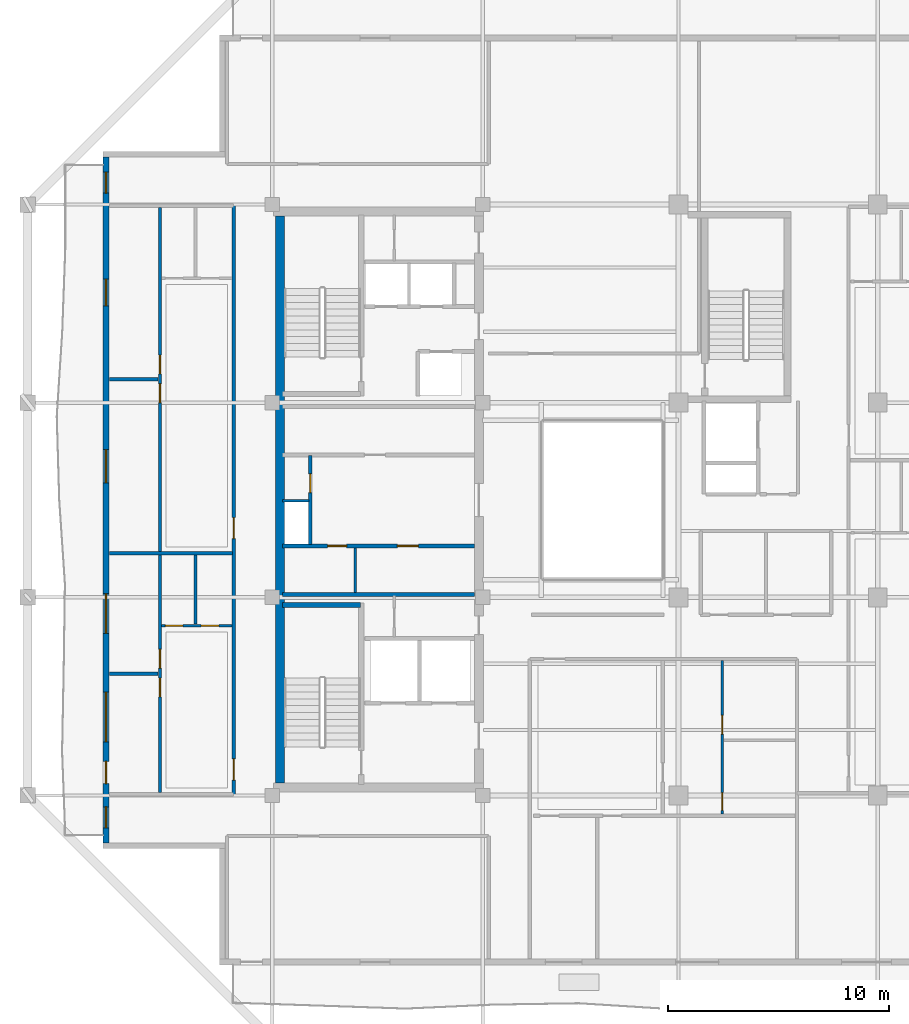
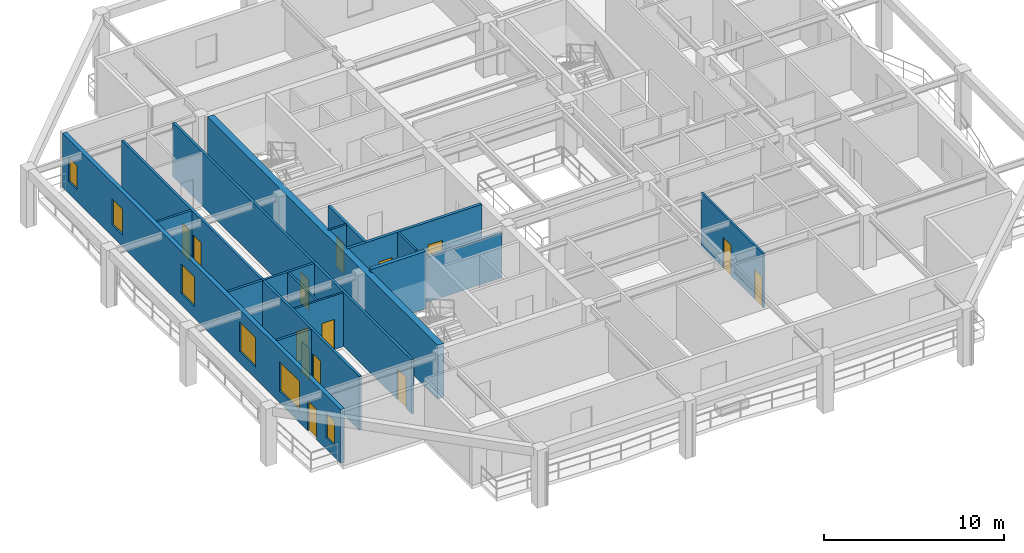
# One storey, part 3 of 12: 17 walls, 14 doors, 6 windows, 20 openings.
"""IFC4 building model written with IfcOpenShell, lengths in metres."""

from ifc_helpers import new_model, si_unit, direction, frame, frame_2d, origin, place, context, subcontext, project, spatial, rectangle, extrude, material, layer, layer_set, type_object, element, fill, save


model = new_model("IFC4")

# Units and contexts
model_context = context("Model", 3, precision=1e-05, world=origin(), true_north=direction((0.0, 1.0)))
body_context = subcontext(model_context, "Body", "Model", "MODEL_VIEW")
ifc_project = project(units=[si_unit("LENGTHUNIT", "METRE"), si_unit("AREAUNIT", "SQUARE_METRE"), si_unit("VOLUMEUNIT", "CUBIC_METRE"), si_unit("PLANEANGLEUNIT", "RADIAN"), si_unit("MASSUNIT", "GRAM", prefix="KILO")], contexts=[model_context])

# Site, building, storey
site_placement = place(None, origin())
site = spatial("IfcSite", under=ifc_project, at=site_placement, CompositionType="ELEMENT")
building_placement = place(site_placement, origin())
building = spatial("IfcBuilding", under=site, at=building_placement, Name="Kundavana Baori Tower", CompositionType="ELEMENT")
storey_placement = place(building_placement, frame((0.0, 0.0, 241.39990234375)))
storey = spatial("IfcBuildingStorey", under=building, at=storey_placement, Name="L59", CompositionType="ELEMENT", Elevation=241.39990234375)

# Walls
ifc_material_1 = material(Name="Concrete C50/60", Category="concrete")
ifc_layer_1 = layer(ifc_material_1, 0.39990234375, Name="WL-CORE-400")
ifc_layer_set_1 = layer_set([ifc_layer_1], Name="Concrete C50/60")
wall_type_1 = type_object("IfcWallType", Name="WL-CORE-400", PredefinedType="SHEAR", material=ifc_layer_set_1)
wall_1_placement = place(storey_placement, frame((15.7900390625, 15.81005859375, 0.0), z_axis=(0.0, 0.0, 1.0), x_axis=(0.0, 1.0, 0.0)))
element("IfcWall", 1, at=wall_1_placement, inside=storey, type_object=wall_type_1, Name="L59 Offset Core West Shear Wall", PredefinedType="SHEAR", context=body_context, shape_type="SweptSolid", body=[
    extrude(rectangle(XDim=25.6298828125, YDim=0.39990234375, at=frame_2d((12.81494140625, 0.0))), origin(), (0.0, 0.0, 1.0), 3.66015625),
])
wall_2_placement = place(storey_placement, frame((15.89990234375, 23.860107421875, 0.0), z_axis=(0.0, 0.0, 1.0), x_axis=(1.0, 0.0, 0.0)))
element("IfcWall", 2, at=wall_2_placement, inside=storey, type_object=wall_type_1, Name="WL-L59-ST1-N", PredefinedType="SHEAR", context=body_context, shape_type="SweptSolid", body=[
    extrude(rectangle(XDim=3.52001953125, YDim=0.239990234375, at=frame_2d((1.760009765625, 0.0))), origin(), (0.0, 0.0, 1.0), 3.900146484375),
])

# Wall, openings, door, windows
ifc_material_2 = material(Name="Kiln-Fired Terracotta Brick-Slip Masonry on Concrete C40/50", Category="masonry")
ifc_layer_2 = layer(ifc_material_2, 0.260009765625, Name="WL-EXT-BRK-260")
ifc_layer_set_2 = layer_set([ifc_layer_2], Name="Kiln-Fired Terracotta Brick-Slip Masonry on Concrete C40/50")
wall_type_2 = type_object("IfcWallType", Name="WL-EXT-BRK-260", PredefinedType="SOLIDWALL", material=ifc_layer_set_2)
wall_3_placement = place(storey_placement, frame((7.929931640625, 44.090087890625, 0.0), z_axis=(0.0, 0.0, 1.0), x_axis=(0.0, -1.0, 0.0)))
wall_3 = element("IfcWall", 3, at=wall_3_placement, inside=storey, type_object=wall_type_2, Name="L59 Exterior Insulated Facade Wall 10", PredefinedType="SOLIDWALL", context=body_context, shape_type="SweptSolid", body=[
    extrude(rectangle(XDim=30.97998046875, YDim=0.260009765625, at=frame_2d((15.489990234375, 0.0))), origin(), (0.0, 0.0, 1.0), 3.66015625),
])
opening_1_placement = place(wall_3_placement, frame((29.35498046875, 0.0, 0.800048828125)))
opening_1 = element("IfcOpeningElement", 4, at=opening_1_placement, cuts=wall_3, Name="Opening W-13", PredefinedType="OPENING", context=body_context, shape_type="SweptSolid", body=[
    extrude(rectangle(XDim=0.949951171875, YDim=1.64990234375, at=frame_2d((0.47509765625, 0.824951171875))), frame((0.0, 0.14013671875, 0.0), z_axis=(0.0, -1.0, 0.0), x_axis=(1.0, 0.0, 0.0)), (0.0, 0.0, 1.0), 0.280029296875),
])
opening_2_placement = place(wall_3_placement, frame((27.300048828125, 0.0, 0.0)))
opening_2 = element("IfcOpeningElement", 5, at=opening_2_placement, cuts=wall_3, Name="Opening BD-1", PredefinedType="OPENING", context=body_context, shape_type="SweptSolid", body=[
    extrude(rectangle(XDim=1.0, YDim=2.050048828125, at=frame_2d((0.5, 1.02490234375))), frame((0.0, 0.14013671875, 0.0), z_axis=(0.0, -1.0, 0.0), x_axis=(1.0, 0.0, 0.0)), (0.0, 0.0, 1.0), 0.280029296875),
])
opening_3_placement = place(wall_3_placement, frame((24.1650390625, 0.0, 0.800048828125)))
opening_3 = element("IfcOpeningElement", 6, at=opening_3_placement, cuts=wall_3, Name="Opening W-10", PredefinedType="OPENING", context=body_context, shape_type="SweptSolid", body=[
    extrude(rectangle(XDim=2.25, YDim=2.0, at=frame_2d((1.125, 1.0))), frame((0.0, 0.14013671875, 0.0), z_axis=(0.0, -1.0, 0.0), x_axis=(1.0, 0.0, 0.0)), (0.0, 0.0, 1.0), 0.280029296875),
])
opening_4_placement = place(wall_3_placement, frame((19.715087890625, 0.0, 0.800048828125)))
opening_4 = element("IfcOpeningElement", 7, at=opening_4_placement, cuts=wall_3, Name="Opening W-01", PredefinedType="OPENING", context=body_context, shape_type="SweptSolid", body=[
    extrude(rectangle(XDim=1.800048828125, YDim=2.0, at=frame_2d((0.89990234375, 1.0))), frame((0.0, 0.14013671875, 0.0), z_axis=(0.0, -1.0, 0.0), x_axis=(1.0, 0.0, 0.0)), (0.0, 0.0, 1.0), 0.280029296875),
])
opening_5_placement = place(wall_3_placement, frame((13.215087890625, 0.0, 0.800048828125)))
opening_5 = element("IfcOpeningElement", 8, at=opening_5_placement, cuts=wall_3, Name="Opening W-02", PredefinedType="OPENING", context=body_context, shape_type="SweptSolid", body=[
    extrude(rectangle(XDim=1.5, YDim=2.0, at=frame_2d((0.75, 1.0))), frame((0.0, 0.14013671875, 0.0), z_axis=(0.0, -1.0, 0.0), x_axis=(1.0, 0.0, 0.0)), (0.0, 0.0, 1.0), 0.280029296875),
])
opening_6_placement = place(wall_3_placement, frame((5.514892578125, 0.0, 0.800048828125)))
opening_6 = element("IfcOpeningElement", 9, at=opening_6_placement, cuts=wall_3, Name="Opening W-03", PredefinedType="OPENING", context=body_context, shape_type="SweptSolid", body=[
    extrude(rectangle(XDim=1.199951171875, YDim=1.75, at=frame_2d((0.60009765625, 0.875))), frame((0.0, 0.14013671875, 0.0), z_axis=(0.0, -1.0, 0.0), x_axis=(1.0, 0.0, 0.0)), (0.0, 0.0, 1.0), 0.280029296875),
])
opening_7_placement = place(wall_3_placement, frame((0.675048828125, 0.0, 0.800048828125)))
opening_7 = element("IfcOpeningElement", 10, at=opening_7_placement, cuts=wall_3, Name="Opening W-13", PredefinedType="OPENING", context=body_context, shape_type="SweptSolid", body=[
    extrude(rectangle(XDim=0.949951171875, YDim=1.64990234375, at=frame_2d((0.47509765625, 0.824951171875))), frame((0.0, 0.14013671875, 0.0), z_axis=(0.0, -1.0, 0.0), x_axis=(1.0, 0.0, 0.0)), (0.0, 0.0, 1.0), 0.280029296875),
])
ifc_material_3 = material(Name="Architectural Patinated Bronze Metalwork")
door_type_1 = type_object("IfcDoorType", Name="DR-EXT-LOG-1000", OperationType="NOTDEFINED", PredefinedType="DOOR", material=ifc_material_3)
door_1_placement = place(opening_2_placement, frame((1.0, 0.0, 0.0), z_axis=(0.0, 0.0, 1.0), x_axis=(-1.0, 0.0, 0.0)))
door_1 = element("IfcDoor", 11, at=door_1_placement, inside=storey, type_object=door_type_1, Name="L59 Loggia Balcony Access Door W", OperationType="SINGLE_SWING_LEFT", OverallHeight=2.050048828125, OverallWidth=1.0, PredefinedType="DOOR", context=body_context, shape_type="SweptSolid", body=[
    extrude(rectangle(XDim=1.0, YDim=2.050048828125, at=frame_2d((0.5, 1.02490234375))), frame((0.0, 0.02490234375, 0.0), z_axis=(0.0, -1.0, 0.0), x_axis=(1.0, 0.0, 0.0)), (0.0, 0.0, 1.0), 0.050048828125),
])
fill(opening_2, door_1)
ifc_material_4 = material(Name="Double-Glazed Solar-Control Low-E Insulated Glass", Category="glass")
window_type_1 = type_object("IfcWindowType", Name="WIN-LOG-1200x1750", PartitioningType="SINGLE_PANEL", PredefinedType="WINDOW", material=ifc_material_4)
window_1_placement = place(opening_6_placement, origin())
window_1 = element("IfcWindow", 12, at=window_1_placement, inside=storey, type_object=window_type_1, Name="L59 Recessed Loggia Window W-5", OverallHeight=1.75, OverallWidth=1.199951171875, PartitioningType="SINGLE_PANEL", PredefinedType="WINDOW", context=body_context, shape_type="SweptSolid", body=[
    extrude(rectangle(XDim=1.199951171875, YDim=1.75, at=frame_2d((0.60009765625, 0.875))), frame((0.0, 0.030029296875, 0.0), z_axis=(0.0, -1.0, 0.0), x_axis=(1.0, 0.0, 0.0)), (0.0, 0.0, 1.0), 0.06005859375),
])
fill(opening_6, window_1)
ifc_material_5 = material(Name="Double-Glazed Solar-Control Low-E Insulated Glass", Category="glass")
window_type_2 = type_object("IfcWindowType", Name="WIN-LOG-1500x2000", PartitioningType="SINGLE_PANEL", PredefinedType="WINDOW", material=ifc_material_5)
window_2_placement = place(opening_5_placement, origin())
window_2 = element("IfcWindow", 13, at=window_2_placement, inside=storey, type_object=window_type_2, Name="L59 Recessed Loggia Window W-4", OverallHeight=2.0, OverallWidth=1.5, PartitioningType="SINGLE_PANEL", PredefinedType="WINDOW", context=body_context, shape_type="SweptSolid", body=[
    extrude(rectangle(XDim=1.5, YDim=2.0, at=frame_2d((0.75, 1.0))), frame((0.0, 0.030029296875, 0.0), z_axis=(0.0, -1.0, 0.0), x_axis=(1.0, 0.0, 0.0)), (0.0, 0.0, 1.0), 0.06005859375),
])
fill(opening_5, window_2)
ifc_material_6 = material(Name="Double-Glazed Solar-Control Low-E Insulated Glass", Category="glass")
window_type_3 = type_object("IfcWindowType", Name="WIN-LOG-1800x2000", PartitioningType="SINGLE_PANEL", PredefinedType="WINDOW", material=ifc_material_6)
window_3_placement = place(opening_4_placement, origin())
window_3 = element("IfcWindow", 14, at=window_3_placement, inside=storey, type_object=window_type_3, Name="L59 Recessed Loggia Window W-3", OverallHeight=2.0, OverallWidth=1.800048828125, PartitioningType="SINGLE_PANEL", PredefinedType="WINDOW", context=body_context, shape_type="SweptSolid", body=[
    extrude(rectangle(XDim=1.800048828125, YDim=2.0, at=frame_2d((0.89990234375, 1.0))), frame((0.0, 0.030029296875, 0.0), z_axis=(0.0, -1.0, 0.0), x_axis=(1.0, 0.0, 0.0)), (0.0, 0.0, 1.0), 0.06005859375),
])
fill(opening_4, window_3)
ifc_material_7 = material(Name="Double-Glazed Solar-Control Low-E Insulated Glass", Category="glass")
window_type_4 = type_object("IfcWindowType", Name="WIN-LOG-2250x2000", PartitioningType="SINGLE_PANEL", PredefinedType="WINDOW", material=ifc_material_7)
window_4_placement = place(opening_3_placement, origin())
window_4 = element("IfcWindow", 15, at=window_4_placement, inside=storey, type_object=window_type_4, Name="L59 Recessed Loggia Window W-2", OverallHeight=2.0, OverallWidth=2.25, PartitioningType="SINGLE_PANEL", PredefinedType="WINDOW", context=body_context, shape_type="SweptSolid", body=[
    extrude(rectangle(XDim=2.25, YDim=2.0, at=frame_2d((1.125, 1.0))), frame((0.0, 0.030029296875, 0.0), z_axis=(0.0, -1.0, 0.0), x_axis=(1.0, 0.0, 0.0)), (0.0, 0.0, 1.0), 0.06005859375),
])
fill(opening_3, window_4)
ifc_material_8 = material(Name="Double-Glazed Solar-Control Low-E Insulated Glass", Category="glass")
window_type_5 = type_object("IfcWindowType", Name="WIN-LOG-950x1650", PartitioningType="SINGLE_PANEL", PredefinedType="WINDOW", material=ifc_material_8)
window_5_placement = place(opening_1_placement, origin())
window_5 = element("IfcWindow", 16, at=window_5_placement, inside=storey, type_object=window_type_5, Name="L59 Recessed Loggia Window W-1", OverallHeight=1.64990234375, OverallWidth=0.949951171875, PartitioningType="SINGLE_PANEL", PredefinedType="WINDOW", context=body_context, shape_type="SweptSolid", body=[
    extrude(rectangle(XDim=0.949951171875, YDim=1.64990234375, at=frame_2d((0.47509765625, 0.824951171875))), frame((0.0, 0.030029296875, 0.0), z_axis=(0.0, -1.0, 0.0), x_axis=(1.0, 0.0, 0.0)), (0.0, 0.0, 1.0), 0.06005859375),
])
fill(opening_1, window_5)
window_6_placement = place(opening_7_placement, origin())
window_6 = element("IfcWindow", 17, at=window_6_placement, inside=storey, type_object=window_type_5, Name="L59 Recessed Loggia Window W-6", OverallHeight=1.64990234375, OverallWidth=0.949951171875, PartitioningType="SINGLE_PANEL", PredefinedType="WINDOW", context=body_context, shape_type="SweptSolid", body=[
    extrude(rectangle(XDim=0.949951171875, YDim=1.64990234375, at=frame_2d((0.47509765625, 0.824951171875))), frame((0.0, 0.030029296875, 0.0), z_axis=(0.0, -1.0, 0.0), x_axis=(1.0, 0.0, 0.0)), (0.0, 0.0, 1.0), 0.06005859375),
])
fill(opening_7, window_6)

# Walls
ifc_material_9 = material(Name="Acoustic Gypsum Plasterboard on Galvanised Steel Studs", Category="steel")
ifc_layer_3 = layer(ifc_material_9, 0.1201171875, Name="WL-PART-120")
ifc_layer_set_3 = layer_set([ifc_layer_3], Name="Acoustic Gypsum Plasterboard on Galvanised Steel Studs")
wall_type_3 = type_object("IfcWallType", Name="WL-PART-120", PredefinedType="PARTITIONING", material=ifc_layer_set_3)
wall_4_placement = place(storey_placement, frame((19.199951171875, 24.419921875, 0.0), z_axis=(0.0, 0.0, 1.0), x_axis=(0.0, 1.0, 0.0)))
element("IfcWall", 18, at=wall_4_placement, inside=storey, type_object=wall_type_3, Name="WL-L59-FRLOW-DIV", PredefinedType="PARTITIONING", context=body_context, shape_type="SweptSolid", body=[
    extrude(rectangle(XDim=2.02001953125, YDim=0.1201171875, at=frame_2d((1.010009765625, 0.0))), origin(), (0.0, 0.0, 1.0), 3.66015625),
])
wall_5_placement = place(storey_placement, frame((15.89990234375, 28.56005859375, 0.0), z_axis=(0.0, 0.0, 1.0), x_axis=(1.0, 0.0, 0.0)))
element("IfcWall", 19, at=wall_5_placement, inside=storey, type_object=wall_type_3, Name="WL-L59-RSRW-N", PredefinedType="PARTITIONING", context=body_context, shape_type="SweptSolid", body=[
    extrude(rectangle(XDim=1.2001953125, YDim=0.1201171875, at=frame_2d((0.60009765625, 0.0))), origin(), (0.0, 0.0, 1.0), 3.66015625),
])

# Wall, openings, doors
ifc_material_10 = material(Name="Fire-Rated Gypsum Drywall on Galvanised Steel Studs", Category="steel")
ifc_layer_4 = layer(ifc_material_10, 0.14990234375, Name="WL-PART-150")
ifc_layer_set_4 = layer_set([ifc_layer_4], Name="Fire-Rated Gypsum Drywall on Galvanised Steel Studs")
wall_type_4 = type_object("IfcWallType", Name="WL-PART-150", PredefinedType="PARTITIONING", material=ifc_layer_set_4)
wall_6_placement = place(storey_placement, frame((13.699951171875, 15.300048828125, 0.0), z_axis=(0.0, 0.0, 1.0), x_axis=(0.0, 1.0, 0.0)))
wall_6 = element("IfcWall", 20, at=wall_6_placement, inside=storey, type_object=wall_type_4, Name="WL-L59-RW", PredefinedType="PARTITIONING", context=body_context, shape_type="SweptSolid", body=[
    extrude(rectangle(XDim=26.599853515625, YDim=0.14990234375, at=frame_2d((13.2998046875, 0.0))), origin(), (0.0, 0.0, 1.0), 3.66015625),
])
opening_8_placement = place(wall_6_placement, frame((0.64990234375, 0.0, 0.0)))
opening_8 = element("IfcOpeningElement", 21, at=opening_8_placement, cuts=wall_6, Name="Opening FD-095", PredefinedType="OPENING", context=body_context, shape_type="SweptSolid", body=[
    extrude(rectangle(XDim=0.949951171875, YDim=2.10009765625, at=frame_2d((0.47509765625, 1.050048828125))), frame((0.0, 0.0849609375, 0.0), z_axis=(0.0, -1.0, 0.0), x_axis=(1.0, 0.0, 0.0)), (0.0, 0.0, 1.0), 0.169921875),
])
opening_9_placement = place(wall_6_placement, frame((11.550048828125, 0.0, 0.0)))
opening_9 = element("IfcOpeningElement", 22, at=opening_9_placement, cuts=wall_6, Name="Opening FD-095", PredefinedType="OPENING", context=body_context, shape_type="SweptSolid", body=[
    extrude(rectangle(XDim=0.949951171875, YDim=2.10009765625, at=frame_2d((0.47509765625, 1.050048828125))), frame((0.0, 0.0849609375, 0.0), z_axis=(0.0, -1.0, 0.0), x_axis=(1.0, 0.0, 0.0)), (0.0, 0.0, 1.0), 0.169921875),
])
ifc_material_11 = material(Name="Engineered Teak Fire-Rated Timber Door Leaf", Category="wood")
door_type_2 = type_object("IfcDoorType", Name="DR-FD60-950", OperationType="NOTDEFINED", PredefinedType="DOOR", material=ifc_material_11)
door_2_placement = place(opening_8_placement, frame((0.949951171875, 0.0, 0.0), z_axis=(0.0, 0.0, 1.0), x_axis=(-1.0, 0.0, 0.0)))
door_2 = element("IfcDoor", 23, at=door_2_placement, inside=storey, type_object=door_type_2, Name="DR-L59-W1-ENT", OperationType="SINGLE_SWING_LEFT", OverallHeight=2.10009765625, OverallWidth=0.949951171875, PredefinedType="DOOR", context=body_context, shape_type="SweptSolid", body=[
    extrude(rectangle(XDim=0.949951171875, YDim=2.10009765625, at=frame_2d((0.47509765625, 1.050048828125))), frame((0.0, 0.02490234375, 0.0), z_axis=(0.0, -1.0, 0.0), x_axis=(1.0, 0.0, 0.0)), (0.0, 0.0, 1.0), 0.050048828125),
])
fill(opening_8, door_2)
door_3_placement = place(opening_9_placement, frame((0.949951171875, 0.0, 0.0), z_axis=(0.0, 0.0, 1.0), x_axis=(-1.0, 0.0, 0.0)))
door_3 = element("IfcDoor", 24, at=door_3_placement, inside=storey, type_object=door_type_2, Name="DR-L59-W2-ENT", OperationType="SINGLE_SWING_LEFT", OverallHeight=2.10009765625, OverallWidth=0.949951171875, PredefinedType="DOOR", context=body_context, shape_type="SweptSolid", body=[
    extrude(rectangle(XDim=0.949951171875, YDim=2.10009765625, at=frame_2d((0.47509765625, 1.050048828125))), frame((0.0, 0.02490234375, 0.0), z_axis=(0.0, -1.0, 0.0), x_axis=(1.0, 0.0, 0.0)), (0.0, 0.0, 1.0), 0.050048828125),
])
fill(opening_9, door_3)

wall_7_placement = place(storey_placement, frame((10.3701171875, 15.3798828125, 0.0), z_axis=(0.0, 0.0, 1.0), x_axis=(0.0, 1.0, 0.0)))
wall_7 = element("IfcWall", 25, at=wall_7_placement, inside=storey, type_object=wall_type_4, Name="WL-L59-W1-VT", PredefinedType="PARTITIONING", context=body_context, shape_type="SweptSolid", body=[
    extrude(rectangle(XDim=10.740234375, YDim=0.14990234375, at=frame_2d((5.3701171875, 0.0))), origin(), (0.0, 0.0, 1.0), 3.66015625),
])
opening_10_placement = place(wall_7_placement, frame((4.320068359375, 0.0, 0.0)))
opening_10 = element("IfcOpeningElement", 26, at=opening_10_placement, cuts=wall_7, Name="Opening ID-085", PredefinedType="OPENING", context=body_context, shape_type="SweptSolid", body=[
    extrude(rectangle(XDim=0.85009765625, YDim=2.080078125, at=frame_2d((0.425048828125, 1.0400390625))), frame((0.0, 0.0849609375, 0.0), z_axis=(0.0, -1.0, 0.0), x_axis=(1.0, 0.0, 0.0)), (0.0, 0.0, 1.0), 0.169921875),
])
opening_11_placement = place(wall_7_placement, frame((5.6201171875, 0.0, 0.0)))
opening_11 = element("IfcOpeningElement", 27, at=opening_11_placement, cuts=wall_7, Name="Opening ID-085", PredefinedType="OPENING", context=body_context, shape_type="SweptSolid", body=[
    extrude(rectangle(XDim=0.85009765625, YDim=2.080078125, at=frame_2d((0.425048828125, 1.0400390625))), frame((0.0, 0.0849609375, 0.0), z_axis=(0.0, -1.0, 0.0), x_axis=(1.0, 0.0, 0.0)), (0.0, 0.0, 1.0), 0.169921875),
])
ifc_material_12 = material(Name="Engineered Teak Solid-Core Timber Veneer", Category="wood")
door_type_3 = type_object("IfcDoorType", Name="DR-INT-850", OperationType="NOTDEFINED", PredefinedType="DOOR", material=ifc_material_12)
door_4_placement = place(opening_10_placement, frame((0.85009765625, 0.0, 0.0), z_axis=(0.0, 0.0, 1.0), x_axis=(-1.0, 0.0, 0.0)))
door_4 = element("IfcDoor", 28, at=door_4_placement, inside=storey, type_object=door_type_3, Name="DR-L59-W1-B1", OperationType="SINGLE_SWING_LEFT", OverallHeight=2.080078125, OverallWidth=0.85009765625, PredefinedType="DOOR", context=body_context, shape_type="SweptSolid", body=[
    extrude(rectangle(XDim=0.85009765625, YDim=2.080078125, at=frame_2d((0.425048828125, 1.0400390625))), frame((0.0, 0.02490234375, 0.0), z_axis=(0.0, -1.0, 0.0), x_axis=(1.0, 0.0, 0.0)), (0.0, 0.0, 1.0), 0.050048828125),
])
fill(opening_10, door_4)
door_5_placement = place(opening_11_placement, frame((0.85009765625, 0.0, 0.0), z_axis=(0.0, 0.0, 1.0), x_axis=(-1.0, 0.0, 0.0)))
door_5 = element("IfcDoor", 29, at=door_5_placement, inside=storey, type_object=door_type_3, Name="DR-L59-W1-B2", OperationType="SINGLE_SWING_RIGHT", OverallHeight=2.080078125, OverallWidth=0.85009765625, PredefinedType="DOOR", context=body_context, shape_type="SweptSolid", body=[
    extrude(rectangle(XDim=0.85009765625, YDim=2.080078125, at=frame_2d((0.425048828125, 1.0400390625))), frame((0.0, 0.02490234375, 0.0), z_axis=(0.0, -1.0, 0.0), x_axis=(1.0, 0.0, 0.0)), (0.0, 0.0, 1.0), 0.050048828125),
])
fill(opening_11, door_5)

# Walls
wall_8_placement = place(storey_placement, frame((8.080078125, 20.75, 0.0), z_axis=(0.0, 0.0, 1.0), x_axis=(1.0, 0.0, 0.0)))
element("IfcWall", 30, at=wall_8_placement, inside=storey, type_object=wall_type_4, Name="WL-L59-W1-BDH", PredefinedType="PARTITIONING", context=body_context, shape_type="SweptSolid", body=[
    extrude(rectangle(XDim=2.2099609375, YDim=0.14990234375, at=frame_2d((1.10498046875, 0.0))), origin(), (0.0, 0.0, 1.0), 3.66015625),
])
wall_9_placement = place(storey_placement, frame((8.080078125, 26.199951171875, 0.0), z_axis=(0.0, 0.0, 1.0), x_axis=(1.0, 0.0, 0.0)))
element("IfcWall", 31, at=wall_9_placement, inside=storey, type_object=wall_type_4, Name="WL-L59-RWD1", PredefinedType="PARTITIONING", context=body_context, shape_type="SweptSolid", body=[
    extrude(rectangle(XDim=5.559814453125, YDim=0.14990234375, at=frame_2d((2.77978515625, 0.0))), origin(), (0.0, 0.0, 1.0), 3.66015625),
])

# Wall, openings, doors
wall_10_placement = place(storey_placement, frame((10.3701171875, 26.280029296875, 0.0), z_axis=(0.0, 0.0, 1.0), x_axis=(0.0, 1.0, 0.0)))
wall_10 = element("IfcWall", 32, at=wall_10_placement, inside=storey, type_object=wall_type_4, Name="WL-L59-W2-VT", PredefinedType="PARTITIONING", context=body_context, shape_type="SweptSolid", body=[
    extrude(rectangle(XDim=15.5400390625, YDim=0.14990234375, at=frame_2d((7.77001953125, 0.0))), origin(), (0.0, 0.0, 1.0), 3.66015625),
])
opening_12_placement = place(wall_10_placement, frame((6.719970703125, 0.0, 0.0)))
opening_12 = element("IfcOpeningElement", 33, at=opening_12_placement, cuts=wall_10, Name="Opening ID-085", PredefinedType="OPENING", context=body_context, shape_type="SweptSolid", body=[
    extrude(rectangle(XDim=0.85009765625, YDim=2.080078125, at=frame_2d((0.425048828125, 1.0400390625))), frame((0.0, 0.0849609375, 0.0), z_axis=(0.0, -1.0, 0.0), x_axis=(1.0, 0.0, 0.0)), (0.0, 0.0, 1.0), 0.169921875),
])
opening_13_placement = place(wall_10_placement, frame((8.02001953125, 0.0, 0.0)))
opening_13 = element("IfcOpeningElement", 34, at=opening_13_placement, cuts=wall_10, Name="Opening ID-085", PredefinedType="OPENING", context=body_context, shape_type="SweptSolid", body=[
    extrude(rectangle(XDim=0.85009765625, YDim=2.080078125, at=frame_2d((0.425048828125, 1.0400390625))), frame((0.0, 0.0849609375, 0.0), z_axis=(0.0, -1.0, 0.0), x_axis=(1.0, 0.0, 0.0)), (0.0, 0.0, 1.0), 0.169921875),
])
door_6_placement = place(opening_12_placement, frame((0.85009765625, 0.0, 0.0), z_axis=(0.0, 0.0, 1.0), x_axis=(-1.0, 0.0, 0.0)))
door_6 = element("IfcDoor", 35, at=door_6_placement, inside=storey, type_object=door_type_3, Name="DR-L59-W2-B1", OperationType="SINGLE_SWING_LEFT", OverallHeight=2.080078125, OverallWidth=0.85009765625, PredefinedType="DOOR", context=body_context, shape_type="SweptSolid", body=[
    extrude(rectangle(XDim=0.85009765625, YDim=2.080078125, at=frame_2d((0.425048828125, 1.0400390625))), frame((0.0, 0.02490234375, 0.0), z_axis=(0.0, -1.0, 0.0), x_axis=(1.0, 0.0, 0.0)), (0.0, 0.0, 1.0), 0.050048828125),
])
fill(opening_12, door_6)
door_7_placement = place(opening_13_placement, frame((0.85009765625, 0.0, 0.0), z_axis=(0.0, 0.0, 1.0), x_axis=(-1.0, 0.0, 0.0)))
door_7 = element("IfcDoor", 36, at=door_7_placement, inside=storey, type_object=door_type_3, Name="DR-L59-W2-B2", OperationType="SINGLE_SWING_RIGHT", OverallHeight=2.080078125, OverallWidth=0.85009765625, PredefinedType="DOOR", context=body_context, shape_type="SweptSolid", body=[
    extrude(rectangle(XDim=0.85009765625, YDim=2.080078125, at=frame_2d((0.425048828125, 1.0400390625))), frame((0.0, 0.02490234375, 0.0), z_axis=(0.0, -1.0, 0.0), x_axis=(1.0, 0.0, 0.0)), (0.0, 0.0, 1.0), 0.050048828125),
])
fill(opening_13, door_7)

# Wall
wall_11_placement = place(storey_placement, frame((8.080078125, 34.050048828125, 0.0), z_axis=(0.0, 0.0, 1.0), x_axis=(1.0, 0.0, 0.0)))
element("IfcWall", 37, at=wall_11_placement, inside=storey, type_object=wall_type_4, Name="WL-L59-W2-BDH", PredefinedType="PARTITIONING", context=body_context, shape_type="SweptSolid", body=[
    extrude(rectangle(XDim=2.2099609375, YDim=0.14990234375, at=frame_2d((1.10498046875, 0.0))), origin(), (0.0, 0.0, 1.0), 3.66015625),
])

# Wall, openings, doors
ifc_material_13 = material(Name="Autoclaved Aerated Concrete Blockwork Masonry", Category="masonry")
ifc_layer_5 = layer(ifc_material_13, 0.179931640625, Name="WL-SHAFT-180")
ifc_layer_set_5 = layer_set([ifc_layer_5], Name="Autoclaved Aerated Concrete Blockwork Masonry")
wall_type_5 = type_object("IfcWallType", Name="WL-SHAFT-180", PredefinedType="SOLIDWALL", material=ifc_layer_set_5)
wall_12_placement = place(storey_placement, frame((15.89990234375, 26.52001953125, 0.0), z_axis=(0.0, 0.0, 1.0), x_axis=(1.0, 0.0, 0.0)))
wall_12 = element("IfcWall", 38, at=wall_12_placement, inside=storey, type_object=wall_type_5, Name="WL-L59-LPLOW-N", PredefinedType="SOLIDWALL", context=body_context, shape_type="SweptSolid", body=[
    extrude(rectangle(XDim=8.68017578125, YDim=0.179931640625, at=frame_2d((4.340087890625, 0.0))), origin(), (0.0, 0.0, 1.0), 3.66015625),
])
opening_14_placement = place(wall_12_placement, frame((2.050048828125, 0.0, 0.0)))
opening_14 = element("IfcOpeningElement", 39, at=opening_14_placement, cuts=wall_12, Name="Opening FD-085", PredefinedType="OPENING", context=body_context, shape_type="SweptSolid", body=[
    extrude(rectangle(XDim=0.85009765625, YDim=2.06005859375, at=frame_2d((0.425048828125, 1.030029296875))), frame((0.0, 0.10009765625, 0.0), z_axis=(0.0, -1.0, 0.0), x_axis=(1.0, 0.0, 0.0)), (0.0, 0.0, 1.0), 0.199951171875),
])
opening_15_placement = place(wall_12_placement, frame((5.199951171875, 0.0, 0.0)))
opening_15 = element("IfcOpeningElement", 40, at=opening_15_placement, cuts=wall_12, Name="Opening FD-095", PredefinedType="OPENING", context=body_context, shape_type="SweptSolid", body=[
    extrude(rectangle(XDim=0.949951171875, YDim=2.10009765625, at=frame_2d((0.47509765625, 1.050048828125))), frame((0.0, 0.10009765625, 0.0), z_axis=(0.0, -1.0, 0.0), x_axis=(1.0, 0.0, 0.0)), (0.0, 0.0, 1.0), 0.199951171875),
])
ifc_material_14 = material(Name="Galvanised Steel Fire-Rated Door Leaf", Category="steel")
door_type_4 = type_object("IfcDoorType", Name="DR-FD60-850", OperationType="NOTDEFINED", PredefinedType="DOOR", material=ifc_material_14)
door_8_placement = place(opening_14_placement, origin())
door_8 = element("IfcDoor", 41, at=door_8_placement, inside=storey, type_object=door_type_4, Name="DR-L59-FRLOW1", OperationType="SINGLE_SWING_LEFT", OverallHeight=2.06005859375, OverallWidth=0.85009765625, PredefinedType="DOOR", context=body_context, shape_type="SweptSolid", body=[
    extrude(rectangle(XDim=0.85009765625, YDim=2.06005859375, at=frame_2d((0.425048828125, 1.030029296875))), frame((0.0, 0.02490234375, 0.0), z_axis=(0.0, -1.0, 0.0), x_axis=(1.0, 0.0, 0.0)), (0.0, 0.0, 1.0), 0.050048828125),
])
fill(opening_14, door_8)
door_9_placement = place(opening_15_placement, origin())
door_9 = element("IfcDoor", 42, at=door_9_placement, inside=storey, type_object=door_type_2, Name="DR-L59-FRLOW2", OperationType="SINGLE_SWING_RIGHT", OverallHeight=2.10009765625, OverallWidth=0.949951171875, PredefinedType="DOOR", context=body_context, shape_type="SweptSolid", body=[
    extrude(rectangle(XDim=0.949951171875, YDim=2.10009765625, at=frame_2d((0.47509765625, 1.050048828125))), frame((0.0, 0.02490234375, 0.0), z_axis=(0.0, -1.0, 0.0), x_axis=(1.0, 0.0, 0.0)), (0.0, 0.0, 1.0), 0.050048828125),
])
fill(opening_15, door_9)

# Wall
wall_13_placement = place(storey_placement, frame((15.89990234375, 24.330078125, 0.0), z_axis=(0.0, 0.0, 1.0), x_axis=(1.0, 0.0, 0.0)))
element("IfcWall", 43, at=wall_13_placement, inside=storey, type_object=wall_type_5, Name="WL-L59-LPLOW-S", PredefinedType="SOLIDWALL", context=body_context, shape_type="SweptSolid", body=[
    extrude(rectangle(XDim=8.68017578125, YDim=0.179931640625, at=frame_2d((4.340087890625, 0.0))), origin(), (0.0, 0.0, 1.0), 3.06005859375),
])

# Wall, opening, door
wall_14_placement = place(storey_placement, frame((17.159912109375, 26.580078125, 0.0), z_axis=(0.0, 0.0, 1.0), x_axis=(0.0, 1.0, 0.0)))
wall_14 = element("IfcWall", 44, at=wall_14_placement, inside=storey, type_object=wall_type_5, Name="WL-L59-RSRW-E", PredefinedType="SOLIDWALL", context=body_context, shape_type="SweptSolid", body=[
    extrude(rectangle(XDim=4.02001953125, YDim=0.179931640625, at=frame_2d((2.010009765625, 0.0))), origin(), (0.0, 0.0, 1.0), 3.66015625),
])
opening_16_placement = place(wall_14_placement, frame((2.35009765625, 0.0, 0.0)))
opening_16 = element("IfcOpeningElement", 45, at=opening_16_placement, cuts=wall_14, Name="Opening FD-085", PredefinedType="OPENING", context=body_context, shape_type="SweptSolid", body=[
    extrude(rectangle(XDim=0.85009765625, YDim=2.06005859375, at=frame_2d((0.425048828125, 1.030029296875))), frame((0.0, 0.10009765625, 0.0), z_axis=(0.0, -1.0, 0.0), x_axis=(1.0, 0.0, 0.0)), (0.0, 0.0, 1.0), 0.199951171875),
])
door_10_placement = place(opening_16_placement, origin())
door_10 = element("IfcDoor", 46, at=door_10_placement, inside=storey, type_object=door_type_4, Name="DR-L59-CLN", OperationType="SINGLE_SWING_RIGHT", OverallHeight=2.06005859375, OverallWidth=0.85009765625, PredefinedType="DOOR", context=body_context, shape_type="SweptSolid", body=[
    extrude(rectangle(XDim=0.85009765625, YDim=2.06005859375, at=frame_2d((0.425048828125, 1.030029296875))), frame((0.0, 0.02490234375, 0.0), z_axis=(0.0, -1.0, 0.0), x_axis=(1.0, 0.0, 0.0)), (0.0, 0.0, 1.0), 0.050048828125),
])
fill(opening_16, door_10)

# Wall, openings, doors
ifc_material_15 = material(Name="Autoclaved Aerated Concrete Blockwork Masonry", Category="masonry")
ifc_layer_6 = layer(ifc_material_15, 0.125, Name="WL-WET-120")
ifc_layer_set_6 = layer_set([ifc_layer_6], Name="Autoclaved Aerated Concrete Blockwork Masonry")
wall_type_6 = type_object("IfcWallType", Name="WL-WET-120", PredefinedType="PLUMBINGWALL", material=ifc_layer_set_6)
wall_15_placement = place(storey_placement, frame((10.449951171875, 22.919921875, 0.0), z_axis=(0.0, 0.0, 1.0), x_axis=(1.0, 0.0, 0.0)))
wall_15 = element("IfcWall", 47, at=wall_15_placement, inside=storey, type_object=wall_type_6, Name="WL-L59-W1-KH", PredefinedType="PLUMBINGWALL", context=body_context, shape_type="SweptSolid", body=[
    extrude(rectangle(XDim=3.170166015625, YDim=0.125, at=frame_2d((1.5849609375, 0.0))), origin(), (0.0, 0.0, 1.0), 3.66015625),
])
opening_17_placement = place(wall_15_placement, frame((0.159912109375, 0.0, 0.0)))
opening_17 = element("IfcOpeningElement", 48, at=opening_17_placement, cuts=wall_15, Name="Opening WD-080", PredefinedType="OPENING", context=body_context, shape_type="SweptSolid", body=[
    extrude(rectangle(XDim=0.800048828125, YDim=2.050048828125, at=frame_2d((0.39990234375, 1.02490234375))), frame((0.0, 0.072509765625, 0.0), z_axis=(0.0, -1.0, 0.0), x_axis=(1.0, 0.0, 0.0)), (0.0, 0.0, 1.0), 0.14501953125),
])
opening_18_placement = place(wall_15_placement, frame((1.781982421875, 0.0, 0.0)))
opening_18 = element("IfcOpeningElement", 49, at=opening_18_placement, cuts=wall_15, Name="Opening WD-080", PredefinedType="OPENING", context=body_context, shape_type="SweptSolid", body=[
    extrude(rectangle(XDim=0.800048828125, YDim=2.050048828125, at=frame_2d((0.39990234375, 1.02490234375))), frame((0.0, 0.072509765625, 0.0), z_axis=(0.0, -1.0, 0.0), x_axis=(1.0, 0.0, 0.0)), (0.0, 0.0, 1.0), 0.14501953125),
])
ifc_material_16 = material(Name="Engineered Teak Solid-Core Timber Veneer", Category="wood")
door_type_5 = type_object("IfcDoorType", Name="DR-WET-800", OperationType="NOTDEFINED", PredefinedType="DOOR", material=ifc_material_16)
door_11_placement = place(opening_17_placement, origin())
door_11 = element("IfcDoor", 50, at=door_11_placement, inside=storey, type_object=door_type_5, Name="DR-L59-W1-BT", OperationType="SINGLE_SWING_LEFT", OverallHeight=2.050048828125, OverallWidth=0.800048828125, PredefinedType="DOOR", context=body_context, shape_type="SweptSolid", body=[
    extrude(rectangle(XDim=0.800048828125, YDim=2.050048828125, at=frame_2d((0.39990234375, 1.02490234375))), frame((0.0, 0.02490234375, 0.0), z_axis=(0.0, -1.0, 0.0), x_axis=(1.0, 0.0, 0.0)), (0.0, 0.0, 1.0), 0.050048828125),
])
fill(opening_17, door_11)
door_12_placement = place(opening_18_placement, origin())
door_12 = element("IfcDoor", 51, at=door_12_placement, inside=storey, type_object=door_type_5, Name="DR-L59-W1-KT", OperationType="SINGLE_SWING_RIGHT", OverallHeight=2.050048828125, OverallWidth=0.800048828125, PredefinedType="DOOR", context=body_context, shape_type="SweptSolid", body=[
    extrude(rectangle(XDim=0.800048828125, YDim=2.050048828125, at=frame_2d((0.39990234375, 1.02490234375))), frame((0.0, 0.02490234375, 0.0), z_axis=(0.0, -1.0, 0.0), x_axis=(1.0, 0.0, 0.0)), (0.0, 0.0, 1.0), 0.050048828125),
])
fill(opening_18, door_12)

# Wall
wall_16_placement = place(storey_placement, frame((11.971923828125, 23.0, 0.0), z_axis=(0.0, 0.0, 1.0), x_axis=(0.0, 1.0, 0.0)))
element("IfcWall", 52, at=wall_16_placement, inside=storey, type_object=wall_type_6, Name="WL-L59-W1-BV", PredefinedType="PLUMBINGWALL", context=body_context, shape_type="SweptSolid", body=[
    extrude(rectangle(XDim=3.1201171875, YDim=0.125, at=frame_2d((1.56005859375, 0.0))), origin(), (0.0, 0.0, 1.0), 3.66015625),
])

# Wall, openings, doors
wall_17_placement = place(storey_placement, frame((35.77001953125, 14.4208984375, 0.0), z_axis=(0.0, 0.0, 1.0), x_axis=(0.0, 1.0, 0.0)))
wall_17 = element("IfcWall", 53, at=wall_17_placement, inside=storey, type_object=wall_type_6, Name="WL-L59-S1-KT", PredefinedType="PLUMBINGWALL", context=body_context, shape_type="SweptSolid", body=[
    extrude(rectangle(XDim=6.919189453125, YDim=0.125, at=frame_2d((3.45947265625, 0.0))), origin(), (0.0, 0.0, 1.0), 3.66015625),
])
opening_19_placement = place(wall_17_placement, frame((0.159912109375, 0.0, 0.0)))
opening_19 = element("IfcOpeningElement", 54, at=opening_19_placement, cuts=wall_17, Name="Opening WD-080", PredefinedType="OPENING", context=body_context, shape_type="SweptSolid", body=[
    extrude(rectangle(XDim=0.800048828125, YDim=2.050048828125, at=frame_2d((0.39990234375, 1.02490234375))), frame((0.0, 0.072509765625, 0.0), z_axis=(0.0, -1.0, 0.0), x_axis=(1.0, 0.0, 0.0)), (0.0, 0.0, 1.0), 0.14501953125),
])
opening_20_placement = place(wall_17_placement, frame((3.60107421875, 0.0, 0.0)))
opening_20 = element("IfcOpeningElement", 55, at=opening_20_placement, cuts=wall_17, Name="Opening ID-085", PredefinedType="OPENING", context=body_context, shape_type="SweptSolid", body=[
    extrude(rectangle(XDim=0.85009765625, YDim=2.080078125, at=frame_2d((0.425048828125, 1.0400390625))), frame((0.0, 0.072509765625, 0.0), z_axis=(0.0, -1.0, 0.0), x_axis=(1.0, 0.0, 0.0)), (0.0, 0.0, 1.0), 0.14501953125),
])
door_13_placement = place(opening_20_placement, origin())
door_13 = element("IfcDoor", 56, at=door_13_placement, inside=storey, type_object=door_type_3, Name="DR-L59-S1-KT", OperationType="SINGLE_SWING_RIGHT", OverallHeight=2.080078125, OverallWidth=0.85009765625, PredefinedType="DOOR", context=body_context, shape_type="SweptSolid", body=[
    extrude(rectangle(XDim=0.85009765625, YDim=2.080078125, at=frame_2d((0.425048828125, 1.0400390625))), frame((0.0, 0.02490234375, 0.0), z_axis=(0.0, -1.0, 0.0), x_axis=(1.0, 0.0, 0.0)), (0.0, 0.0, 1.0), 0.050048828125),
])
fill(opening_20, door_13)
door_14_placement = place(opening_19_placement, origin())
door_14 = element("IfcDoor", 57, at=door_14_placement, inside=storey, type_object=door_type_5, Name="DR-L59-S1-BT", OperationType="SINGLE_SWING_LEFT", OverallHeight=2.050048828125, OverallWidth=0.800048828125, PredefinedType="DOOR", context=body_context, shape_type="SweptSolid", body=[
    extrude(rectangle(XDim=0.800048828125, YDim=2.050048828125, at=frame_2d((0.39990234375, 1.02490234375))), frame((0.0, 0.02490234375, 0.0), z_axis=(0.0, -1.0, 0.0), x_axis=(1.0, 0.0, 0.0)), (0.0, 0.0, 1.0), 0.050048828125),
])
fill(opening_19, door_14)

save(model, "model.ifc")
